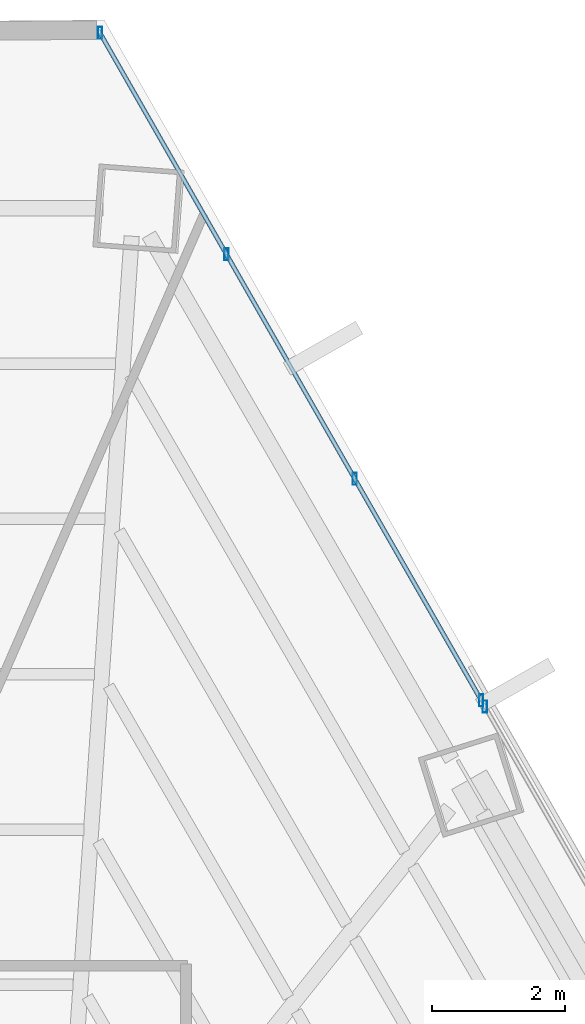
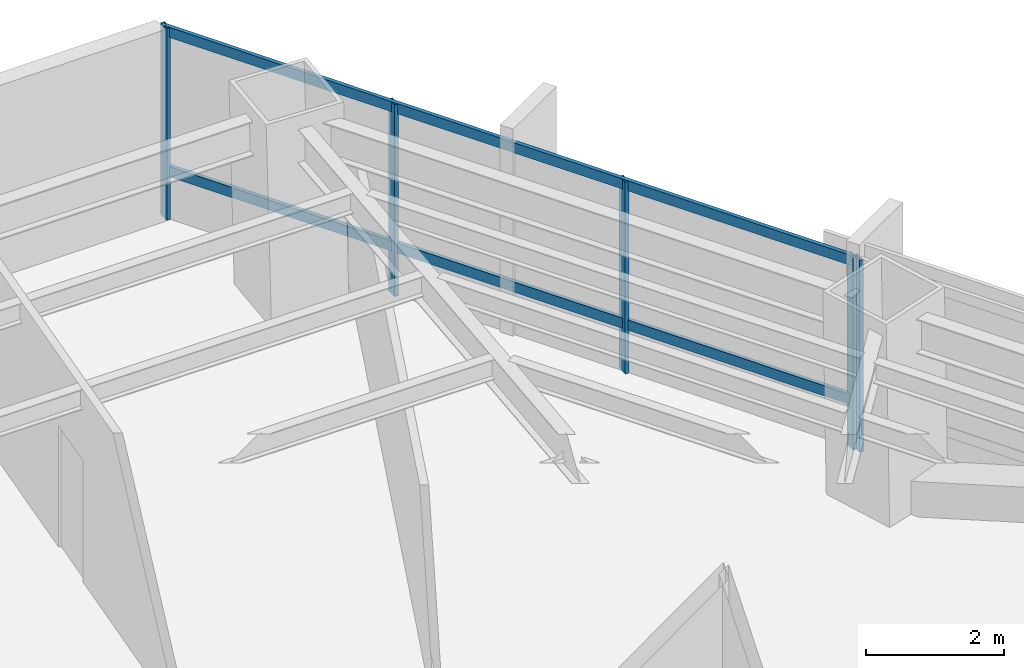
# One storey, part 27 of 35: 7 members, 2 elements without a shape of their own.
"""IFC4 building model written with IfcOpenShell, lengths in metres."""

from ifc_helpers import new_model, si_unit, direction, frame, origin, origin_2d, place, context, subcontext, project, spatial, hollow_rectangle, extrude, source, transform, mapped, material, material_profile, profile_set, type_object, type_shapes, element, aggregate, save


model = new_model("IFC4")

# Units and contexts
model_context = context("Model", 3, precision=1e-05, world=origin(), true_north=direction((0.0, 1.0)))
body_context = subcontext(model_context, "Body", "Model", "MODEL_VIEW")
ifc_project = project(units=[si_unit("LENGTHUNIT", "METRE"), si_unit("AREAUNIT", "SQUARE_METRE"), si_unit("VOLUMEUNIT", "CUBIC_METRE"), si_unit("PLANEANGLEUNIT", "RADIAN"), si_unit("MASSUNIT", "GRAM", prefix="KILO")], contexts=[model_context])

# Site, building, storey
site_placement = place(None, origin())
site = spatial("IfcSite", under=ifc_project, at=site_placement, CompositionType="ELEMENT")
building_placement = place(site_placement, origin())
building = spatial("IfcBuilding", under=site, at=building_placement, Name="Caelisora Broadcast Tower", CompositionType="ELEMENT")
storey_placement = place(building_placement, frame((0.0, 0.0, 53.14990234375)))
storey = spatial("IfcBuildingStorey", under=building, at=storey_placement, Name="L13", CompositionType="ELEMENT", Elevation=53.14990234375)

# Curtain wall, members
ifc_material_1 = material(Name="Unitised Aluminium and Low-E Glass Curtain Wall", Category="glass")
curtain_wall_type_1 = type_object("IfcCurtainWallType", Name="CW-Z1", PredefinedType="NOTDEFINED", material=ifc_material_1)
curtain_wall_1_placement = place(storey_placement, origin())
curtain_wall_1 = element("IfcCurtainWall", 1, at=curtain_wall_1_placement, inside=storey, type_object=curtain_wall_type_1, Name="L13 curtain wall CW-Z1", PredefinedType="NOTDEFINED")
ifc_material_2 = material(Name="Aluminium 6063-T6 Anodised Terracotta Bronze", Category="aluminium")
ifc_material_profile_1 = material_profile(ifc_material_2, hollow_rectangle(XDim=0.06494140625, YDim=0.179931640625, WallThickness=0.00341796875, at=origin_2d()), Name="Aluminium 6063-T6 Anodised Terracotta Bronze")
ifc_profile_set_1 = profile_set([ifc_material_profile_1], Name="Aluminium 6063-T6 Anodised Terracotta Bronze")
member_type_1 = type_object("IfcMemberType", Name="CWM-02", PredefinedType="MULLION", material=ifc_profile_set_1)
shared_shape_1 = source(origin(), body_context, "Body", "SweptSolid", [
    extrude(hollow_rectangle(XDim=0.06494140625, YDim=0.179931640625, WallThickness=0.00341796875, at=origin_2d()), origin(), (0.0, 0.0, 1.0), 3.400146484375),
])
type_shapes(member_type_1, [shared_shape_1])
member_1_placement = place(storey_placement, frame((46.10986328125, 48.95556640625, 0.0), z_axis=(0.0, 0.0, 1.0), x_axis=(1.0, 0.0, 0.0)))
member_1 = element("IfcMember", 2, at=member_1_placement, type_object=member_type_1, Name="L13-CW-B01 mullion #0", PredefinedType="MULLION", context=body_context, shape_type="MappedRepresentation", body=[
    mapped(shared_shape_1, transform((0.0, 0.0, 0.0), scale=1.0)),
])
member_2_placement = place(storey_placement, frame((48.009521484375, 45.63037109375, 0.0), z_axis=(0.0, 0.0, 1.0), x_axis=(1.0, 0.0, 0.0)))
member_2 = element("IfcMember", 3, at=member_2_placement, type_object=member_type_1, Name="L13-CW-B01 mullion #1", PredefinedType="MULLION", context=body_context, shape_type="MappedRepresentation", body=[
    mapped(shared_shape_1, transform((0.0, 0.0, 0.0), scale=1.0)),
])
member_3_placement = place(storey_placement, frame((49.93359375, 42.26171875, 0.0), z_axis=(0.0, 0.0, 1.0), x_axis=(1.0, 0.0, 0.0)))
member_3 = element("IfcMember", 4, at=member_3_placement, type_object=member_type_1, Name="L13-CW-B01 mullion #2", PredefinedType="MULLION", context=body_context, shape_type="MappedRepresentation", body=[
    mapped(shared_shape_1, transform((0.0, 0.0, 0.0), scale=1.0)),
])
member_4_placement = place(storey_placement, frame((51.833251953125, 38.9365234375, 0.0), z_axis=(0.0, 0.0, 1.0), x_axis=(1.0, 0.0, 0.0)))
member_4 = element("IfcMember", 5, at=member_4_placement, type_object=member_type_1, Name="L13-CW-B01 mullion #3", PredefinedType="MULLION", context=body_context, shape_type="MappedRepresentation", body=[
    mapped(shared_shape_1, transform((0.0, 0.0, 0.0), scale=1.0)),
])

# Curtain wall, member
ifc_material_3 = material(Name="Unitised Aluminium Insulated Shadow-Box Spandrel Curtain Wall", Category="aluminium")
curtain_wall_type_2 = type_object("IfcCurtainWallType", Name="CW-SP1", PredefinedType="NOTDEFINED", material=ifc_material_3)
curtain_wall_2_placement = place(storey_placement, origin())
curtain_wall_2 = element("IfcCurtainWall", 6, at=curtain_wall_2_placement, inside=storey, type_object=curtain_wall_type_2, Name="L13 curtain wall CW-SP1", PredefinedType="NOTDEFINED")
member_5_placement = place(storey_placement, frame((51.887939453125, 38.841064453125, 0.0), z_axis=(0.0, 0.0, 1.0), x_axis=(1.0, 0.0, 0.0)))
member_5 = element("IfcMember", 7, at=member_5_placement, type_object=member_type_1, Name="L13-CW-B02 mullion #0", PredefinedType="MULLION", context=body_context, shape_type="MappedRepresentation", body=[
    mapped(shared_shape_1, transform((0.0, 0.0, 0.0), scale=1.0)),
])
aggregate(curtain_wall_2, [member_5])

# Member
ifc_material_profile_2 = material_profile(ifc_material_2, hollow_rectangle(XDim=0.06494140625, YDim=0.179931640625, WallThickness=0.00341796875, at=origin_2d()), Name="Aluminium 6063-T6 Anodised Terracotta Bronze")
ifc_profile_set_2 = profile_set([ifc_material_profile_2], Name="Aluminium 6063-T6 Anodised Terracotta Bronze")
member_type_2 = type_object("IfcMemberType", Name="CWT-01", PredefinedType="USERDEFINED", material=ifc_profile_set_2)
shared_shape_2 = source(origin(), body_context, "Body", "SweptSolid", [
    extrude(hollow_rectangle(XDim=0.06494140625, YDim=0.179931640625, WallThickness=0.00341796875, at=origin_2d()), origin(), (0.0, 0.0, 1.0), 11.53857421875),
])
type_shapes(member_type_2, [shared_shape_2])
member_6_placement = place(storey_placement, frame((46.10986328125, 48.95556640625, 0.85009765625), z_axis=(0.496022723981, -0.868309540023, 0.0), x_axis=(0.868309540023, 0.496022723981, 0.0)))
member_6 = element("IfcMember", 8, at=member_6_placement, type_object=member_type_2, Name="L13-CW-B01 transom #1", ObjectType="TRANSOM", PredefinedType="USERDEFINED", context=body_context, shape_type="MappedRepresentation", body=[
    mapped(shared_shape_2, transform((0.0, 0.0, 0.0), scale=1.0)),
])

member_7_placement = place(storey_placement, frame((46.10986328125, 48.95556640625, 3.320068359375), z_axis=(0.496022723981, -0.868309540023, 0.0), x_axis=(0.868309540023, 0.496022723981, 0.0)))
member_7 = element("IfcMember", 9, at=member_7_placement, type_object=member_type_2, Name="L13-CW-B01 transom #2", ObjectType="TRANSOM", PredefinedType="USERDEFINED", context=body_context, shape_type="MappedRepresentation", body=[
    mapped(shared_shape_2, transform((0.0, 0.0, 0.0), scale=1.0)),
])

aggregate(curtain_wall_1, [member_1, member_2, member_3, member_4, member_6, member_7])

save(model, "model.ifc")
